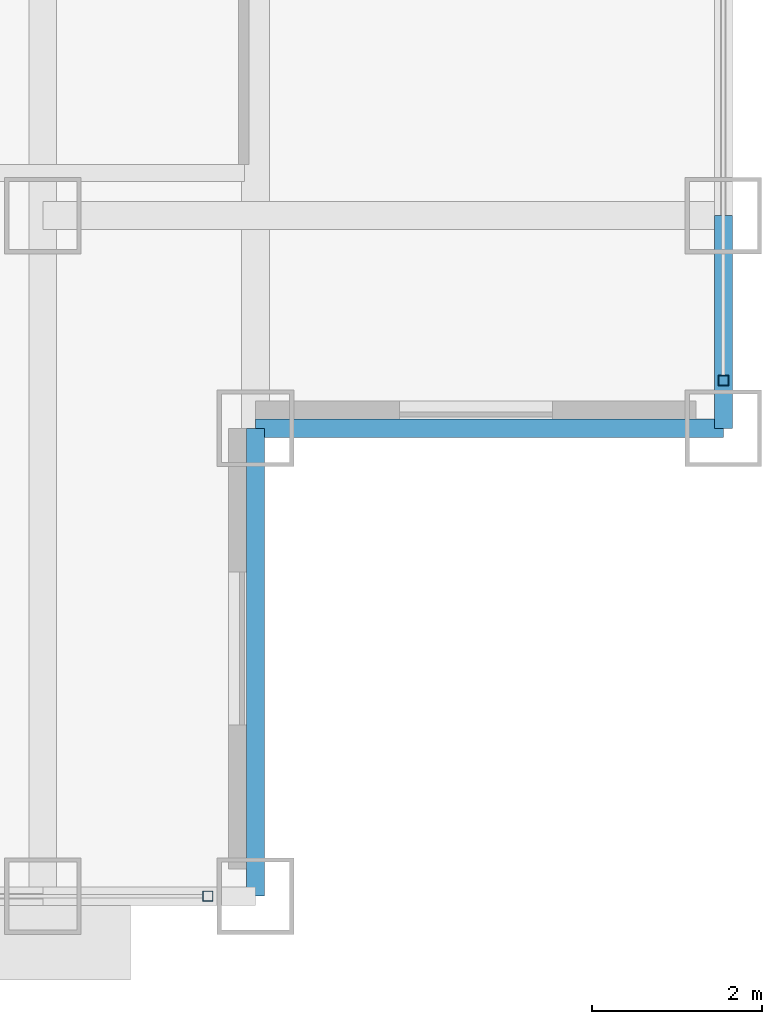
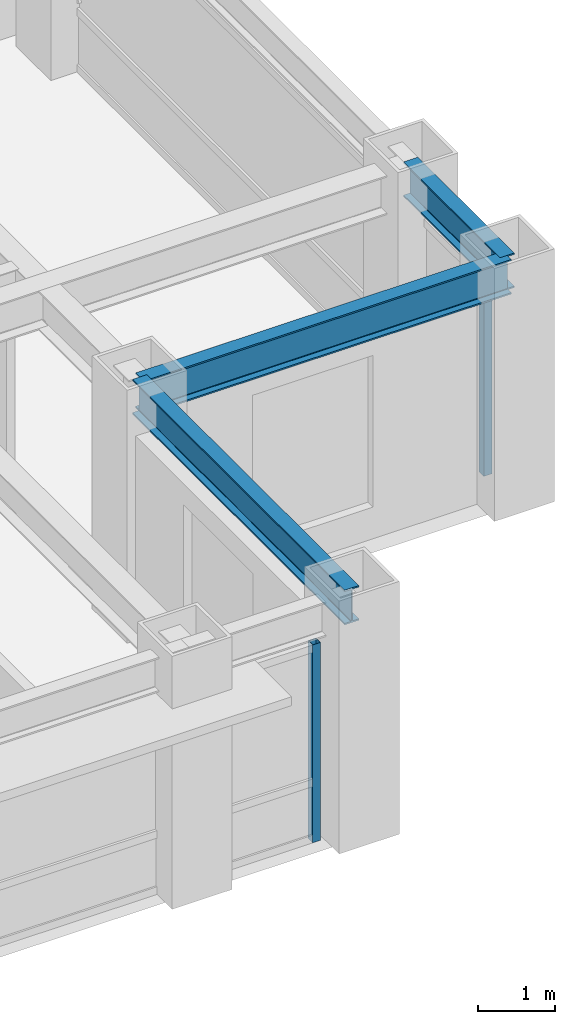
# One storey, part 8 of 27: 3 beams, 2 members, 2 elements without a shape of their own.
"""IFC4 building model written with IfcOpenShell, lengths in metres."""

import ifcopenshell
import ifcopenshell.guid

model = None  # the IFC model being written
_history = None  # IfcOwnerHistory: only IFC2X3 demands one
_inside = {}  # id of a spatial element -> (the spatial element, [elements in it])
_under = {}  # id of a project, library or spatial element -> (it, [spatial elements below it])
_declared = {}  # id of a project -> (the project, [libraries it declares])
_typed = {}  # id of a type object -> (the type object, [elements of that type])
_made_of = {}  # id of a material, layer set ... -> (it, [elements and type objects made of it])


def new_model(schema):
    """Start an empty IFC model of exactly this schema.

    Asked for "IFC4X3", IfcOpenShell would pick the latest addendum, in which some entities
    have other attributes; the version numbers below select the first issue.
    IFC2X3 requires an IfcOwnerHistory on every rooted entity: one is made here for all.
    """
    global model, _history
    if schema == "IFC4X3":
        model = ifcopenshell.file(schema_version=(4, 3, 0, 0))
    else:
        model = ifcopenshell.file(schema=schema)
    _inside.clear()
    _under.clear()
    _declared.clear()
    _typed.clear()
    _made_of.clear()
    _history = None
    if model.schema == "IFC2X3":
        org = make("IfcOrganization", Name="unknown")
        user = make(
            "IfcPersonAndOrganization",
            ThePerson=make("IfcPerson", FamilyName="unknown"),
            TheOrganization=org,
        )
        app = make(
            "IfcApplication",
            ApplicationDeveloper=org,
            Version="unknown",
            ApplicationFullName="unknown",
            ApplicationIdentifier="unknown",
        )
        _history = make(
            "IfcOwnerHistory",
            OwningUser=user,
            OwningApplication=app,
            ChangeAction="ADDED",
            CreationDate=0,
        )
    return model


def make(cls, **values):
    """One entity of the class cls with the attributes given. An attribute that is None is left unset."""
    return model.create_entity(
        cls, **{name: value for name, value in values.items() if value is not None}
    )


def rooted(cls, **values):
    """An entity with a GlobalId (a new one), such as an element, a storey or a relation."""
    return make(cls, GlobalId=ifcopenshell.guid.new(), OwnerHistory=_history, **values)


def si_unit(unit_type, name, prefix=None):
    """IfcSIUnit, for example si_unit("LENGTHUNIT", "METRE", prefix="MILLI")."""
    return make("IfcSIUnit", UnitType=unit_type, Prefix=prefix, Name=name)


def assignment(units):
    """IfcUnitAssignment: the units of a project."""
    return None if units is None else make("IfcUnitAssignment", Units=units)


def point(xyz):
    """IfcCartesianPoint."""
    return None if xyz is None else make("IfcCartesianPoint", Coordinates=xyz)


def direction(xyz):
    """IfcDirection."""
    return None if xyz is None else make("IfcDirection", DirectionRatios=xyz)


def frame(location, z_axis=None, x_axis=None):
    """IfcAxis2Placement3D, a coordinate frame: its origin and axes. An axis left out is left unset."""
    return make(
        "IfcAxis2Placement3D",
        Location=point(location),
        Axis=direction(z_axis),
        RefDirection=direction(x_axis),
    )


def frame_2d(location, x_axis=None):
    """IfcAxis2Placement2D, a coordinate frame in the plane: its origin and x axis."""
    return make(
        "IfcAxis2Placement2D", Location=point(location), RefDirection=direction(x_axis)
    )


def origin():
    """The frame at (0, 0, 0) with its axes left unset."""
    return frame((0.0, 0.0, 0.0))


def origin_2d():
    """The frame at (0, 0) in the plane with its x axis left unset."""
    return frame_2d((0.0, 0.0))


def place(relative_to, where):
    """IfcLocalPlacement: puts the frame where relative to a parent placement (None: the world)."""
    return make(
        "IfcLocalPlacement", PlacementRelTo=relative_to, RelativePlacement=where
    )


def context(
    kind, dimensions, precision=None, world=None, true_north=None, identifier=None
):
    """IfcGeometricRepresentationContext, for example the 3D "Model" context."""
    return make(
        "IfcGeometricRepresentationContext",
        ContextIdentifier=identifier,
        ContextType=kind,
        CoordinateSpaceDimension=dimensions,
        Precision=precision,
        WorldCoordinateSystem=world,
        TrueNorth=true_north,
    )


def subcontext(parent, identifier, kind, view, scale=None):
    """IfcGeometricRepresentationSubContext, for example "Body" below "Model"."""
    return make(
        "IfcGeometricRepresentationSubContext",
        ContextIdentifier=identifier,
        ContextType=kind,
        ParentContext=parent,
        TargetScale=scale,
        TargetView=view,
    )


def project(units=None, contexts=None):
    """IfcProject with its units and contexts."""
    return rooted(
        "IfcProject",
        Name="project",
        RepresentationContexts=contexts,
        UnitsInContext=assignment(units),
    )


def spatial(cls, under=None, at=None, **own):
    """A site, building, storey or space (cls), placed at a placement, below another one or the project."""
    s = rooted(cls, ObjectPlacement=at, **own)
    if under is not None:
        _under.setdefault(under.id(), (under, []))[1].append(s)
    return s


def profile(cls, at=None, kind="AREA", **sizes):
    """A parametric profile (cls). Its sizes go by their IFC names, for example OverallWidth=200.0."""
    return make(cls, ProfileType=kind, Position=at, **sizes)


def hollow_rectangle(**sizes):
    """IfcRectangleHollowProfileDef."""
    return profile("IfcRectangleHollowProfileDef", **sizes)


def i_section(**sizes):
    """IfcIShapeProfileDef."""
    return profile("IfcIShapeProfileDef", **sizes)


def extrude(swept, where, along, depth):
    """IfcExtrudedAreaSolid: the profile swept, set in the frame where, extruded along a direction by depth."""
    return make(
        "IfcExtrudedAreaSolid",
        SweptArea=swept,
        Position=where,
        ExtrudedDirection=direction(along),
        Depth=depth,
    )


def shape(context_of_items, identifier, shape_type, items):
    """IfcShapeRepresentation: the items that make up one representation, for example the "Body"."""
    return make(
        "IfcShapeRepresentation",
        ContextOfItems=context_of_items,
        RepresentationIdentifier=identifier,
        RepresentationType=shape_type,
        Items=items,
    )


def source(mapping_origin, context_of_items, identifier, shape_type, items):
    """IfcRepresentationMap: a shape defined once, which mapped items show again and again."""
    return make(
        "IfcRepresentationMap",
        MappingOrigin=mapping_origin,
        MappedRepresentation=shape(context_of_items, identifier, shape_type, items),
    )


def transform(
    local_origin,
    x_axis=None,
    y_axis=None,
    z_axis=None,
    scale=None,
    scale2=None,
    scale3=None,
    uniform=True,
):
    """IfcCartesianTransformationOperator3D, or its non-uniform kind. x_axis, y_axis, z_axis: its Axis1, 2, 3."""
    if uniform:
        return make(
            "IfcCartesianTransformationOperator3D",
            Axis1=direction(x_axis),
            Axis2=direction(y_axis),
            LocalOrigin=point(local_origin),
            Scale=scale,
            Axis3=direction(z_axis),
        )
    return make(
        "IfcCartesianTransformationOperator3DnonUniform",
        Axis1=direction(x_axis),
        Axis2=direction(y_axis),
        LocalOrigin=point(local_origin),
        Scale=scale,
        Axis3=direction(z_axis),
        Scale2=scale2,
        Scale3=scale3,
    )


def mapped(mapping_source, mapping_target):
    """IfcMappedItem: shows the shape of a source again, moved by a transform."""
    return make(
        "IfcMappedItem", MappingSource=mapping_source, MappingTarget=mapping_target
    )


def material(Name=None, Category=None):
    """IfcMaterial."""
    return make("IfcMaterial", Name=Name, Category=Category)


def material_profile(
    of_material, cross_section, Name=None, Category=None, Priority=None
):
    """IfcMaterialProfile: a cross section and its material."""
    return make(
        "IfcMaterialProfile",
        Name=Name,
        Material=of_material,
        Profile=cross_section,
        Priority=Priority,
        Category=Category,
    )


def profile_set(profiles, Name=None, composite=None):
    """IfcMaterialProfileSet."""
    return make(
        "IfcMaterialProfileSet",
        Name=Name,
        MaterialProfiles=profiles,
        CompositeProfile=composite,
    )


def made_of(thing, what):
    """Note that an element or type object is made of a material, layer set ...; save() writes the relation."""
    if what is not None:
        _made_of.setdefault(what.id(), (what, []))[1].append(thing)
    return thing


def type_object(cls, material=None, **own):
    """A type object (cls), such as IfcWallType, which elements share."""
    return made_of(rooted(cls, **own), material)


def element(
    cls,
    number,
    at=None,
    inside=None,
    cuts=None,
    type_object=None,
    material=None,
    context=None,
    identifier="Body",
    shape_type=None,
    held_by="IfcProductDefinitionShape",
    body=None,
    shapes=None,
    **own,
):
    """One element of the class cls, such as IfcWall. Its Tag is "e" and its number.

    at: its placement. inside: the storey or other place that contains it. cuts: it is an
    opening in that element (IfcRelVoidsElement). A single representation is given by context,
    identifier, shape_type and body (its items); several are given by shapes. held_by: the class
    of the entity that holds the representations. save() writes the other relations.
    """
    e = rooted(cls, Tag="e%d" % number, ObjectPlacement=at, **own)
    if body is not None:
        shapes = [shape(context, identifier, shape_type, body)]
    if shapes is not None:
        e.Representation = make(held_by, Representations=shapes)
    if inside is not None:
        _inside.setdefault(inside.id(), (inside, []))[1].append(e)
    if cuts is not None:
        rooted(
            "IfcRelVoidsElement", RelatingBuildingElement=cuts, RelatedOpeningElement=e
        )
    if type_object is not None:
        _typed.setdefault(type_object.id(), (type_object, []))[1].append(e)
    return made_of(e, material)


def aggregate(whole, parts):
    """IfcRelAggregates: a whole, such as a stair, and the parts it consists of."""
    return rooted("IfcRelAggregates", RelatingObject=whole, RelatedObjects=parts)


def save(model, path):
    """Write the relations noted so far, then the file.

    IfcRelAggregates (storeys below a building ...), IfcRelContainedInSpatialStructure (elements
    in a storey), IfcRelDefinesByType, IfcRelAssociatesMaterial and IfcRelDeclares: one each for
    every whole, place, type object, material and project.
    """
    for whole, parts in _under.values():
        aggregate(whole, parts)
    for where, things in _inside.values():
        rooted(
            "IfcRelContainedInSpatialStructure",
            RelatedElements=things,
            RelatingStructure=where,
        )
    for kind, things in _typed.values():
        rooted("IfcRelDefinesByType", RelatedObjects=things, RelatingType=kind)
    for what, things in _made_of.values():
        rooted("IfcRelAssociatesMaterial", RelatedObjects=things, RelatingMaterial=what)
    for by, libraries in _declared.values():
        rooted("IfcRelDeclares", RelatingContext=by, RelatedDefinitions=libraries)
    model.write(path)


model = new_model("IFC4")

# Units and contexts
model_context = context("Model", 3, precision=1e-05, world=origin(), true_north=direction((0.0, 1.0)))
body_context = subcontext(model_context, "Body", "Model", "MODEL_VIEW")
ifc_project = project(units=[si_unit("LENGTHUNIT", "METRE"), si_unit("AREAUNIT", "SQUARE_METRE"), si_unit("VOLUMEUNIT", "CUBIC_METRE"), si_unit("PLANEANGLEUNIT", "RADIAN"), si_unit("MASSUNIT", "GRAM", prefix="KILO")], contexts=[model_context])

# Site, building, storey
site_placement = place(None, origin())
site = spatial("IfcSite", under=ifc_project, at=site_placement, CompositionType="ELEMENT")
building_placement = place(site_placement, origin())
building = spatial("IfcBuilding", under=site, at=building_placement, Name="Khorayat Bourse Tower", CompositionType="ELEMENT")
storey_placement = place(building_placement, frame((0.0, 0.0, 281.5)))
storey = spatial("IfcBuildingStorey", under=building, at=storey_placement, Name="L66", CompositionType="ELEMENT", Elevation=281.5)

# Beams
ifc_material_1 = material(Name="Steel ASTM A992 Grade 50", Category="steel")
ifc_material_profile_1 = material_profile(ifc_material_1, i_section(OverallWidth=0.214111328125, OverallDepth=0.549072265625, WebThickness=0.0146484375, FlangeThickness=0.023681640625, FilletRadius=0.013916015625, at=origin_2d()), Name="W530X138")
ifc_profile_set_1 = profile_set([ifc_material_profile_1], Name="Steel ASTM A992 Grade 50")
beam_type = type_object("IfcBeamType", Name="BM-SPAN-530", PredefinedType="SPANDREL", material=ifc_profile_set_1)
shared_shape_1 = source(origin(), body_context, "Body", "SweptSolid", [
    extrude(i_section(OverallWidth=0.214111328125, OverallDepth=0.549072265625, WebThickness=0.0146484375, FlangeThickness=0.023681640625, FilletRadius=0.013916015625, at=origin_2d()), origin(), (0.0, 0.0, 1.0), 2.5),
])
beam_placement = place(storey_placement, frame((28.0, -22.5, 3.505615234375), z_axis=(0.0, 1.0, 0.0), x_axis=(-1.0, 0.0, 0.0)))
element("IfcBeam", 1, at=beam_placement, inside=storey, type_object=beam_type, Name="L66 BM-SPAN-530 BM-L66-SPN-034", PredefinedType="SPANDREL", context=body_context, shape_type="MappedRepresentation", body=[
    mapped(shared_shape_1, transform((0.0, 0.0, 0.0), scale=1.0)),
])
shared_shape_2 = source(origin(), body_context, "Body", "SweptSolid", [
    extrude(i_section(OverallWidth=0.214111328125, OverallDepth=0.549072265625, WebThickness=0.0146484375, FlangeThickness=0.023681640625, FilletRadius=0.013916015625, at=origin_2d()), origin(), (0.0, 0.0, 1.0), 5.5),
])
for number, where, z_axis, x_axis, name in (
    (2, (22.5, -28.0, 3.505615234375), (0.0, 1.0, 0.0), (-1.0, 0.0, 0.0), "L66 BM-SPAN-530 BM-L66-SPN-032"),
    (3, (22.5, -22.5, 3.505615234375), (1.0, 0.0, 0.0), (0.0, 1.0, 0.0), "L66 BM-SPAN-530 BM-L66-SPN-033"),
):
    element("IfcBeam", number, at=place(storey_placement, frame(where, z_axis=z_axis, x_axis=x_axis)), inside=storey, type_object=beam_type, Name=name, PredefinedType="SPANDREL", context=body_context, shape_type="MappedRepresentation", body=[
        mapped(shared_shape_2, transform((0.0, 0.0, 0.0), scale=1.0)),
    ])

# Curtain wall, member
ifc_material_2 = material(Name="Aluminium EN AW-6063 T6", Category="aluminium")
curtain_wall_type = type_object("IfcCurtainWallType", Name="CW-SYS-04", PredefinedType="NOTDEFINED", material=ifc_material_2)
curtain_wall_1_placement = place(storey_placement, origin())
curtain_wall_1 = element("IfcCurtainWall", 4, at=curtain_wall_1_placement, inside=storey, type_object=curtain_wall_type, Name="L66 Curtain Wall CW-L66-S1", PredefinedType="NOTDEFINED")
ifc_material_profile_2 = material_profile(ifc_material_2, hollow_rectangle(XDim=0.1201171875, YDim=0.1201171875, WallThickness=0.0048828125, at=origin_2d()), Name="ALU 120x120x5")
ifc_profile_set_2 = profile_set([ifc_material_profile_2], Name="Aluminium EN AW-6063 T6")
member_type = type_object("IfcMemberType", Name="CWM-VERT-120", PredefinedType="MULLION", material=ifc_profile_set_2)
shared_shape_3 = source(origin(), body_context, "Body", "SweptSolid", [
    extrude(hollow_rectangle(XDim=0.1201171875, YDim=0.1201171875, WallThickness=0.0048828125, at=origin_2d()), origin(), (0.0, 0.0, 1.0), 3.1298828125),
])
member_1_placement = place(storey_placement, frame((21.93994140625, -28.0, 0.0), z_axis=(0.0, 0.0, 1.0), x_axis=(0.0, 1.0, 0.0)))
member_1 = element("IfcMember", 5, at=member_1_placement, type_object=member_type, Name="CW-L66-S1 Vertical Mullion 3", PredefinedType="MULLION", context=body_context, shape_type="MappedRepresentation", body=[
    mapped(shared_shape_3, transform((0.0, 0.0, 0.0), scale=1.0)),
])
aggregate(curtain_wall_1, [member_1])

curtain_wall_2_placement = place(storey_placement, origin())
curtain_wall_2 = element("IfcCurtainWall", 6, at=curtain_wall_2_placement, inside=storey, type_object=curtain_wall_type, Name="L66 Curtain Wall CW-L66-E1", PredefinedType="NOTDEFINED")
member_2_placement = place(storey_placement, frame((28.0, -21.93994140625, 0.0), z_axis=(0.0, 0.0, 1.0), x_axis=(-1.0, 0.0, 0.0)))
member_2 = element("IfcMember", 7, at=member_2_placement, type_object=member_type, Name="CW-L66-E1 Vertical Mullion 1", PredefinedType="MULLION", context=body_context, shape_type="MappedRepresentation", body=[
    mapped(shared_shape_3, transform((0.0, 0.0, 0.0), scale=1.0)),
])
aggregate(curtain_wall_2, [member_2])

save(model, "model.ifc")
